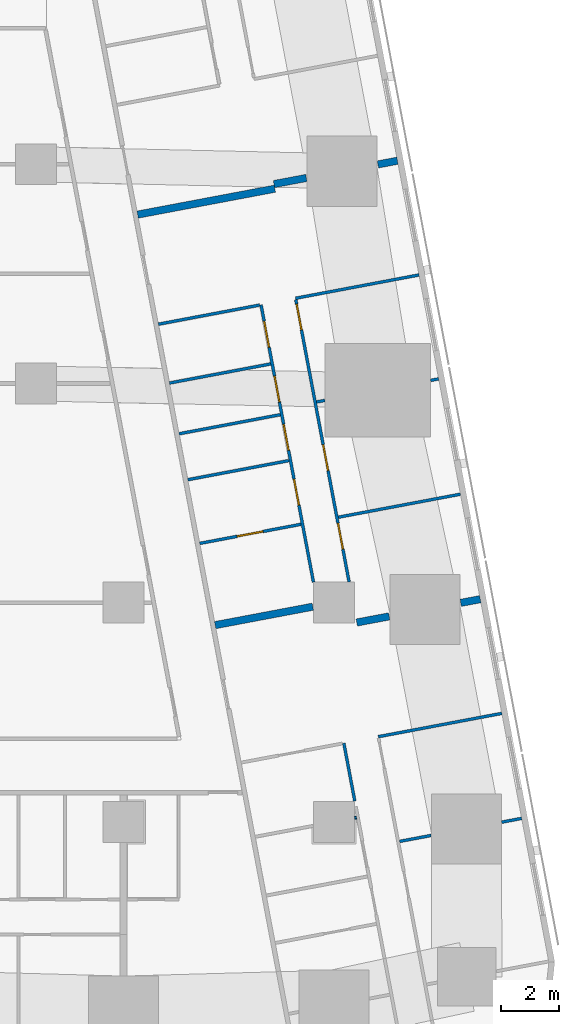
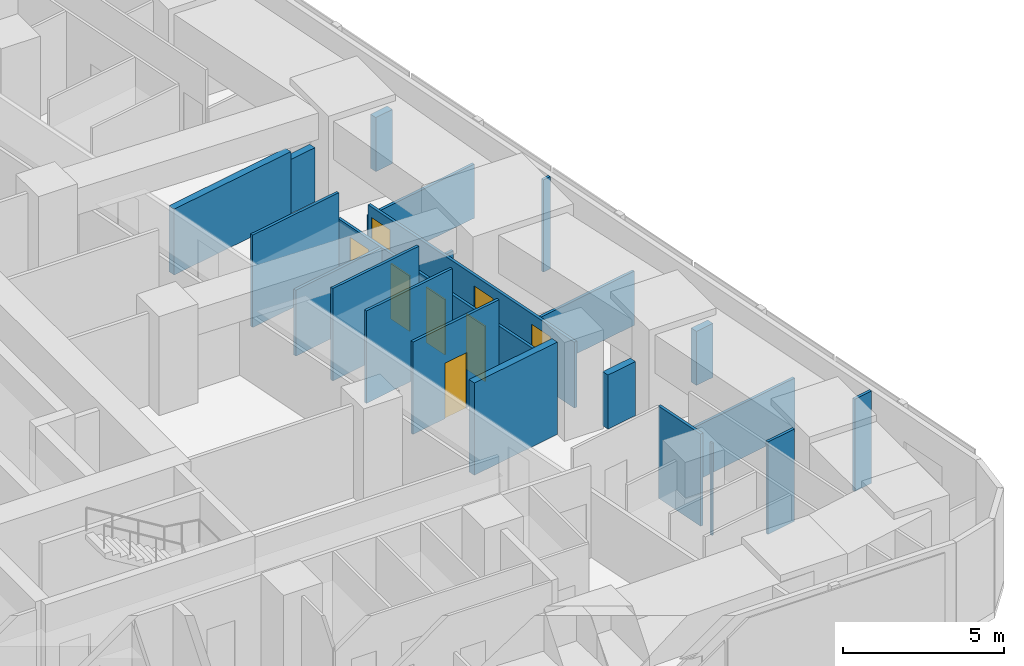
# One storey, part 11 of 17: 22 walls, 8 doors, 8 openings.
"""IFC4 building model written with IfcOpenShell, lengths in metres."""

from ifc_helpers import new_model, si_unit, direction, frame, frame_2d, origin, place, context, subcontext, project, spatial, rectangle, extrude, material, layer, layer_set, type_object, element, fill, save


model = new_model("IFC4")

# Units and contexts
model_context = context("Model", 3, precision=1e-05, world=origin(), true_north=direction((0.0, 1.0)))
body_context = subcontext(model_context, "Body", "Model", "MODEL_VIEW")
ifc_project = project(units=[si_unit("LENGTHUNIT", "METRE"), si_unit("AREAUNIT", "SQUARE_METRE"), si_unit("VOLUMEUNIT", "CUBIC_METRE"), si_unit("PLANEANGLEUNIT", "RADIAN"), si_unit("MASSUNIT", "GRAM", prefix="KILO")], contexts=[model_context])

# Site, building, storey
site_placement = place(None, origin())
site = spatial("IfcSite", under=ifc_project, at=site_placement, CompositionType="ELEMENT")
building_placement = place(site_placement, origin())
building = spatial("IfcBuilding", under=site, at=building_placement, Name="Sheger Commons Tower", CompositionType="ELEMENT")
storey_placement = place(building_placement, frame((0.0, 0.0, 204.949951171875)))
storey = spatial("IfcBuildingStorey", under=building, at=storey_placement, Name="L52", CompositionType="ELEMENT", Elevation=204.949951171875)

# Walls
ifc_material_1 = material(Name="Dense concrete block masonry, plastered both sides (separating wall between flats)", Category="masonry")
ifc_layer_1 = layer(ifc_material_1, 0.25)
ifc_layer_set_1 = layer_set([ifc_layer_1], Name="DEMISING WALL 250")
wall_type_1 = type_object("IfcWallType", Name="DEMISING WALL 250", PredefinedType="SOLIDWALL", material=ifc_layer_set_1)
wall_1_placement = place(storey_placement, frame((45.3720703125, 30.12109375, 0.0), z_axis=(0.0, 0.0, 1.0), x_axis=(-0.982347993061, -0.187062611252, 0.0)))
element("IfcWall", 1, at=wall_1_placement, inside=storey, type_object=wall_type_1, Name="Demising wall L52", PredefinedType="SOLIDWALL", context=body_context, shape_type="SweptSolid", body=[
    extrude(rectangle(XDim=0.679931640625, YDim=0.25, at=frame_2d((0.33984375, 0.0))), origin(), (0.0, 0.0, 1.0), 2.050048828125),
])
wall_2_placement = place(storey_placement, frame((42.256103515625, 29.531982421875, 0.0), z_axis=(0.0, 0.0, 1.0), x_axis=(-0.982549954272, -0.185998890749, 0.0)))
element("IfcWall", 2, at=wall_2_placement, inside=storey, type_object=wall_type_1, Name="Demising wall L52", PredefinedType="SOLIDWALL", context=body_context, shape_type="SweptSolid", body=[
    extrude(rectangle(XDim=1.12890625, YDim=0.25, at=frame_2d((0.564453125, 0.0))), origin(), (0.0, 0.0, 1.0), 2.050048828125),
])
wall_3_placement = place(storey_placement, frame((41.177001953125, 29.1640625, 0.0), z_axis=(0.0, 0.0, 1.0), x_axis=(-0.982642846239, -0.185507511263, 0.0)))
element("IfcWall", 3, at=wall_3_placement, inside=storey, type_object=wall_type_1, Name="Demising wall L52", PredefinedType="SOLIDWALL", context=body_context, shape_type="SweptSolid", body=[
    extrude(rectangle(XDim=4.776123046875, YDim=0.25, at=frame_2d((2.38818359375, 0.0))), origin(), (0.0, 0.0, 1.0), 2.5),
])
wall_4_placement = place(storey_placement, frame((48.2060546875, 15.1201171875, 0.0), z_axis=(0.0, 0.0, 1.0), x_axis=(-0.982610999048, -0.18567612811, 0.0)))
element("IfcWall", 4, at=wall_4_placement, inside=storey, type_object=wall_type_1, Name="Demising wall L52", PredefinedType="SOLIDWALL", context=body_context, shape_type="SweptSolid", body=[
    extrude(rectangle(XDim=0.6796875, YDim=0.25, at=frame_2d((0.33984375, 0.0))), origin(), (0.0, 0.0, 1.0), 2.050048828125),
])
wall_5_placement = place(storey_placement, frame((45.090087890625, 14.531005859375, 0.0), z_axis=(0.0, 0.0, 1.0), x_axis=(-0.982737354171, -0.185006196431, 0.0)))
element("IfcWall", 5, at=wall_5_placement, inside=storey, type_object=wall_type_1, Name="Demising wall L52", PredefinedType="SOLIDWALL", context=body_context, shape_type="SweptSolid", body=[
    extrude(rectangle(XDim=1.129638671875, YDim=0.25, at=frame_2d((0.56494140625, 0.0))), origin(), (0.0, 0.0, 1.0), 2.050048828125),
])
wall_6_placement = place(storey_placement, frame((42.47607421875, 14.863037109375, 0.0), z_axis=(0.0, 0.0, 1.0), x_axis=(-0.982603567712, -0.185715450942, 0.0)))
element("IfcWall", 6, at=wall_6_placement, inside=storey, type_object=wall_type_1, Name="Demising wall L52", PredefinedType="SOLIDWALL", context=body_context, shape_type="SweptSolid", body=[
    extrude(rectangle(XDim=3.398193359375, YDim=0.25, at=frame_2d((1.69921875, 0.0))), origin(), (0.0, 0.0, 1.0), 3.5),
])

# Wall, openings, doors
ifc_material_2 = material(Name="Gypsum board on steel studs", Category="steel")
ifc_layer_2 = layer(ifc_material_2, 0.10009765625)
ifc_layer_set_2 = layer_set([ifc_layer_2], Name="PARTITION 100")
wall_type_2 = type_object("IfcWallType", Name="PARTITION 100", PredefinedType="PARTITIONING", material=ifc_layer_set_2)
wall_7_placement = place(storey_placement, frame((41.89404296875, 25.365966796875, 0.0), z_axis=(0.0, 0.0, 1.0), x_axis=(0.185612905165, -0.982622943675, 0.0)))
wall_7 = element("IfcWall", 7, at=wall_7_placement, inside=storey, type_object=wall_type_2, Name="Partition L52", PredefinedType="PARTITIONING", context=body_context, shape_type="SweptSolid", body=[
    extrude(rectangle(XDim=9.82666015625, YDim=0.10009765625, at=frame_2d((4.913330078125, 0.0))), origin(), (0.0, 0.0, 1.0), 2.5),
])
opening_1_placement = place(wall_7_placement, frame((0.15087890625, 0.0, 0.0)))
opening_1 = element("IfcOpeningElement", 8, at=opening_1_placement, cuts=wall_7, Name="Opening D2", PredefinedType="OPENING", context=body_context, shape_type="SweptSolid", body=[
    extrude(rectangle(XDim=0.89990234375, YDim=2.10009765625, at=frame_2d((0.449951171875, 1.050048828125))), frame((0.0, 0.06005859375, 0.0), z_axis=(0.0, -1.0, 0.0), x_axis=(1.0, 0.0, 0.0)), (0.0, 0.0, 1.0), 0.1201171875),
])
opening_2_placement = place(wall_7_placement, frame((5.050048828125, 0.0, 0.0)))
opening_2 = element("IfcOpeningElement", 9, at=opening_2_placement, cuts=wall_7, Name="Opening D2", PredefinedType="OPENING", context=body_context, shape_type="SweptSolid", body=[
    extrude(rectangle(XDim=0.89990234375, YDim=2.10009765625, at=frame_2d((0.449951171875, 1.050048828125))), frame((0.0, 0.06005859375, 0.0), z_axis=(0.0, -1.0, 0.0), x_axis=(1.0, 0.0, 0.0)), (0.0, 0.0, 1.0), 0.1201171875),
])
opening_3_placement = place(wall_7_placement, frame((7.782958984375, 0.0, 0.0)))
opening_3 = element("IfcOpeningElement", 10, at=opening_3_placement, cuts=wall_7, Name="Opening D2", PredefinedType="OPENING", context=body_context, shape_type="SweptSolid", body=[
    extrude(rectangle(XDim=0.89990234375, YDim=2.10009765625, at=frame_2d((0.449951171875, 1.050048828125))), frame((0.0, 0.06005859375, 0.0), z_axis=(0.0, -1.0, 0.0), x_axis=(1.0, 0.0, 0.0)), (0.0, 0.0, 1.0), 0.1201171875),
])
ifc_material_3 = material(Name="Timber door set", Category="wood")
door_type = type_object("IfcDoorType", Name="INTERNAL DOOR 900x2100", OperationType="NOTDEFINED", PredefinedType="DOOR", material=ifc_material_3)
door_1_placement = place(opening_1_placement, origin())
door_1 = element("IfcDoor", 11, at=door_1_placement, inside=storey, type_object=door_type, Name="Main bedroom door", OperationType="SINGLE_SWING_LEFT", OverallHeight=2.10009765625, OverallWidth=0.89990234375, PredefinedType="DOOR", context=body_context, shape_type="SweptSolid", body=[
    extrude(rectangle(XDim=0.89990234375, YDim=2.10009765625, at=frame_2d((0.449951171875, 1.050048828125))), frame((0.0, 0.02490234375, 0.0), z_axis=(0.0, -1.0, 0.0), x_axis=(1.0, 0.0, 0.0)), (0.0, 0.0, 1.0), 0.050048828125),
])
fill(opening_1, door_1)
door_2_placement = place(opening_2_placement, origin())
door_2 = element("IfcDoor", 12, at=door_2_placement, inside=storey, type_object=door_type, Name="Bedroom 2 door", OperationType="SINGLE_SWING_LEFT", OverallHeight=2.10009765625, OverallWidth=0.89990234375, PredefinedType="DOOR", context=body_context, shape_type="SweptSolid", body=[
    extrude(rectangle(XDim=0.89990234375, YDim=2.10009765625, at=frame_2d((0.449951171875, 1.050048828125))), frame((0.0, 0.02490234375, 0.0), z_axis=(0.0, -1.0, 0.0), x_axis=(1.0, 0.0, 0.0)), (0.0, 0.0, 1.0), 0.050048828125),
])
fill(opening_2, door_2)
door_3_placement = place(opening_3_placement, origin())
door_3 = element("IfcDoor", 13, at=door_3_placement, inside=storey, type_object=door_type, Name="Bedroom 3 door", OperationType="SINGLE_SWING_LEFT", OverallHeight=2.10009765625, OverallWidth=0.89990234375, PredefinedType="DOOR", context=body_context, shape_type="SweptSolid", body=[
    extrude(rectangle(XDim=0.89990234375, YDim=2.10009765625, at=frame_2d((0.449951171875, 1.050048828125))), frame((0.0, 0.02490234375, 0.0), z_axis=(0.0, -1.0, 0.0), x_axis=(1.0, 0.0, 0.0)), (0.0, 0.0, 1.0), 0.050048828125),
])
fill(opening_3, door_3)

wall_8_placement = place(storey_placement, frame((40.7060546875, 25.19189453125, 0.0), z_axis=(0.0, 0.0, 1.0), x_axis=(0.185629824463, -0.982619747547, 0.0)))
wall_8 = element("IfcWall", 14, at=wall_8_placement, inside=storey, type_object=wall_type_2, Name="Partition L52", PredefinedType="PARTITIONING", context=body_context, shape_type="SweptSolid", body=[
    extrude(rectangle(XDim=9.658935546875, YDim=0.10009765625, at=frame_2d((4.82958984375, 0.0))), origin(), (0.0, 0.0, 1.0), 2.5),
])
opening_4_placement = place(wall_8_placement, frame((0.574951171875, 0.0, 0.0)))
opening_4 = element("IfcOpeningElement", 15, at=opening_4_placement, cuts=wall_8, Name="Opening D2", PredefinedType="OPENING", context=body_context, shape_type="SweptSolid", body=[
    extrude(rectangle(XDim=0.89990234375, YDim=2.10009765625, at=frame_2d((0.449951171875, 1.050048828125))), frame((0.0, 0.06005859375, 0.0), z_axis=(0.0, -1.0, 0.0), x_axis=(1.0, 0.0, 0.0)), (0.0, 0.0, 1.0), 0.1201171875),
])
opening_5_placement = place(wall_8_placement, frame((4.166015625, 0.0, 0.0)))
opening_5 = element("IfcOpeningElement", 16, at=opening_5_placement, cuts=wall_8, Name="Opening D2", PredefinedType="OPENING", context=body_context, shape_type="SweptSolid", body=[
    extrude(rectangle(XDim=0.89990234375, YDim=2.10009765625, at=frame_2d((0.449951171875, 1.050048828125))), frame((0.0, 0.06005859375, 0.0), z_axis=(0.0, -1.0, 0.0), x_axis=(1.0, 0.0, 0.0)), (0.0, 0.0, 1.0), 0.1201171875),
])
opening_6_placement = place(wall_8_placement, frame((2.48291015625, 0.0, 0.0)))
opening_6 = element("IfcOpeningElement", 17, at=opening_6_placement, cuts=wall_8, Name="Opening D2", PredefinedType="OPENING", context=body_context, shape_type="SweptSolid", body=[
    extrude(rectangle(XDim=0.89990234375, YDim=2.10009765625, at=frame_2d((0.449951171875, 1.050048828125))), frame((0.0, 0.06005859375, 0.0), z_axis=(0.0, -1.0, 0.0), x_axis=(1.0, 0.0, 0.0)), (0.0, 0.0, 1.0), 0.1201171875),
])
opening_7_placement = place(wall_8_placement, frame((6.073974609375, 0.0, 0.0)))
opening_7 = element("IfcOpeningElement", 18, at=opening_7_placement, cuts=wall_8, Name="Opening D2", PredefinedType="OPENING", context=body_context, shape_type="SweptSolid", body=[
    extrude(rectangle(XDim=0.89990234375, YDim=2.10009765625, at=frame_2d((0.449951171875, 1.050048828125))), frame((0.0, 0.06005859375, 0.0), z_axis=(0.0, -1.0, 0.0), x_axis=(1.0, 0.0, 0.0)), (0.0, 0.0, 1.0), 0.1201171875),
])
door_4_placement = place(opening_4_placement, origin())
door_4 = element("IfcDoor", 19, at=door_4_placement, inside=storey, type_object=door_type, Name="Bathroom door", OperationType="SINGLE_SWING_RIGHT", OverallHeight=2.10009765625, OverallWidth=0.89990234375, PredefinedType="DOOR", context=body_context, shape_type="SweptSolid", body=[
    extrude(rectangle(XDim=0.89990234375, YDim=2.10009765625, at=frame_2d((0.449951171875, 1.050048828125))), frame((0.0, 0.02490234375, 0.0), z_axis=(0.0, -1.0, 0.0), x_axis=(1.0, 0.0, 0.0)), (0.0, 0.0, 1.0), 0.050048828125),
])
fill(opening_4, door_4)
door_5_placement = place(opening_5_placement, origin())
door_5 = element("IfcDoor", 20, at=door_5_placement, inside=storey, type_object=door_type, Name="Shower room door", OperationType="SINGLE_SWING_LEFT", OverallHeight=2.10009765625, OverallWidth=0.89990234375, PredefinedType="DOOR", context=body_context, shape_type="SweptSolid", body=[
    extrude(rectangle(XDim=0.89990234375, YDim=2.10009765625, at=frame_2d((0.449951171875, 1.050048828125))), frame((0.0, 0.02490234375, 0.0), z_axis=(0.0, -1.0, 0.0), x_axis=(1.0, 0.0, 0.0)), (0.0, 0.0, 1.0), 0.050048828125),
])
fill(opening_5, door_5)
door_6_placement = place(opening_6_placement, origin())
door_6 = element("IfcDoor", 21, at=door_6_placement, inside=storey, type_object=door_type, Name="Store door", OperationType="SINGLE_SWING_LEFT", OverallHeight=2.10009765625, OverallWidth=0.89990234375, PredefinedType="DOOR", context=body_context, shape_type="SweptSolid", body=[
    extrude(rectangle(XDim=0.89990234375, YDim=2.10009765625, at=frame_2d((0.449951171875, 1.050048828125))), frame((0.0, 0.02490234375, 0.0), z_axis=(0.0, -1.0, 0.0), x_axis=(1.0, 0.0, 0.0)), (0.0, 0.0, 1.0), 0.050048828125),
])
fill(opening_6, door_6)
door_7_placement = place(opening_7_placement, origin())
door_7 = element("IfcDoor", 22, at=door_7_placement, inside=storey, type_object=door_type, Name="Store door", OperationType="SINGLE_SWING_RIGHT", OverallHeight=2.10009765625, OverallWidth=0.89990234375, PredefinedType="DOOR", context=body_context, shape_type="SweptSolid", body=[
    extrude(rectangle(XDim=0.89990234375, YDim=2.10009765625, at=frame_2d((0.449951171875, 1.050048828125))), frame((0.0, 0.02490234375, 0.0), z_axis=(0.0, -1.0, 0.0), x_axis=(1.0, 0.0, 0.0)), (0.0, 0.0, 1.0), 0.050048828125),
])
fill(opening_7, door_7)

# Walls
wall_9_placement = place(storey_placement, frame((46.110107421875, 26.212890625, 0.0), z_axis=(0.0, 0.0, 1.0), x_axis=(-0.982633535512, -0.185556823879, 0.0)))
element("IfcWall", 23, at=wall_9_placement, inside=storey, type_object=wall_type_2, Name="Partition L52", PredefinedType="PARTITIONING", context=body_context, shape_type="SweptSolid", body=[
    extrude(rectangle(XDim=4.2998046875, YDim=0.10009765625, at=frame_2d((2.14990234375, 0.0))), origin(), (0.0, 0.0, 1.0), 2.050048828125),
])
wall_10_placement = place(storey_placement, frame((46.781982421875, 22.656982421875, 0.0), z_axis=(0.0, 0.0, 1.0), x_axis=(-0.982574553168, -0.185868898601, 0.0)))
element("IfcWall", 24, at=wall_10_placement, inside=storey, type_object=wall_type_2, Name="Partition L52", PredefinedType="PARTITIONING", context=body_context, shape_type="SweptSolid", body=[
    extrude(rectangle(XDim=0.27978515625, YDim=0.10009765625, at=frame_2d((0.139892578125, 0.0))), origin(), (0.0, 0.0, 1.0), 3.5),
])
wall_11_placement = place(storey_placement, frame((42.886962890625, 21.9208984375, 0.0), z_axis=(0.0, 0.0, 1.0), x_axis=(-0.982688058078, -0.185267861514, 0.0)))
element("IfcWall", 25, at=wall_11_placement, inside=storey, type_object=wall_type_2, Name="Partition L52", PredefinedType="PARTITIONING", context=body_context, shape_type="SweptSolid", body=[
    extrude(rectangle(XDim=0.285888671875, YDim=0.10009765625, at=frame_2d((0.14306640625, 0.0))), origin(), (0.0, 0.0, 1.0), 2.5),
])
wall_12_placement = place(storey_placement, frame((47.527099609375, 18.7119140625, 0.0), z_axis=(0.0, 0.0, 1.0), x_axis=(-0.982665405803, -0.185387972203, 0.0)))
element("IfcWall", 26, at=wall_12_placement, inside=storey, type_object=wall_type_2, Name="Partition L52", PredefinedType="PARTITIONING", context=body_context, shape_type="SweptSolid", body=[
    extrude(rectangle(XDim=4.249755859375, YDim=0.10009765625, at=frame_2d((2.125, 0.0))), origin(), (0.0, 0.0, 1.0), 2.050048828125),
])
wall_13_placement = place(storey_placement, frame((40.656982421875, 25.18310546875, 0.0), z_axis=(0.0, 0.0, 1.0), x_axis=(-0.982585626838, -0.185810349366, 0.0)))
element("IfcWall", 27, at=wall_13_placement, inside=storey, type_object=wall_type_2, Name="Partition L52", PredefinedType="PARTITIONING", context=body_context, shape_type="SweptSolid", body=[
    extrude(rectangle(XDim=3.525146484375, YDim=0.10009765625, at=frame_2d((1.7626953125, 0.0))), origin(), (0.0, 0.0, 1.0), 3.5),
])
wall_14_placement = place(storey_placement, frame((41.364990234375, 21.43310546875, 0.0), z_axis=(0.0, 0.0, 1.0), x_axis=(-0.982638553676, -0.185530247748, 0.0)))
element("IfcWall", 28, at=wall_14_placement, inside=storey, type_object=wall_type_2, Name="Partition L52", PredefinedType="PARTITIONING", context=body_context, shape_type="SweptSolid", body=[
    extrude(rectangle(XDim=3.525390625, YDim=0.10009765625, at=frame_2d((1.7626953125, 0.0))), origin(), (0.0, 0.0, 1.0), 3.5),
])

# Wall, opening, door
wall_15_placement = place(storey_placement, frame((42.072998046875, 17.681884765625, 0.0), z_axis=(0.0, 0.0, 1.0), x_axis=(-0.98265117712, -0.185463376723, 0.0)))
wall_15 = element("IfcWall", 29, at=wall_15_placement, inside=storey, type_object=wall_type_2, Name="Partition L52", PredefinedType="PARTITIONING", context=body_context, shape_type="SweptSolid", body=[
    extrude(rectangle(XDim=3.525390625, YDim=0.10009765625, at=frame_2d((1.7626953125, 0.0))), origin(), (0.0, 0.0, 1.0), 3.5),
])
opening_8_placement = place(wall_15_placement, frame((1.324951171875, 0.0, 0.0)))
opening_8 = element("IfcOpeningElement", 30, at=opening_8_placement, cuts=wall_15, Name="Opening D2", PredefinedType="OPENING", context=body_context, shape_type="SweptSolid", body=[
    extrude(rectangle(XDim=0.89990234375, YDim=2.10009765625, at=frame_2d((0.449951171875, 1.050048828125))), frame((0.0, 0.06005859375, 0.0), z_axis=(0.0, -1.0, 0.0), x_axis=(1.0, 0.0, 0.0)), (0.0, 0.0, 1.0), 0.1201171875),
])
door_8_placement = place(opening_8_placement, origin())
door_8 = element("IfcDoor", 31, at=door_8_placement, inside=storey, type_object=door_type, Name="Store door", OperationType="SINGLE_SWING_LEFT", OverallHeight=2.10009765625, OverallWidth=0.89990234375, PredefinedType="DOOR", context=body_context, shape_type="SweptSolid", body=[
    extrude(rectangle(XDim=0.89990234375, YDim=2.10009765625, at=frame_2d((0.449951171875, 1.050048828125))), frame((0.0, 0.02490234375, 0.0), z_axis=(0.0, -1.0, 0.0), x_axis=(1.0, 0.0, 0.0)), (0.0, 0.0, 1.0), 0.050048828125),
])
fill(opening_8, door_8)

# Walls
wall_16_placement = place(storey_placement, frame((41.037109375, 23.16796875, 0.0), z_axis=(0.0, 0.0, 1.0), x_axis=(-0.982638553676, -0.185530247748, 0.0)))
element("IfcWall", 32, at=wall_16_placement, inside=storey, type_object=wall_type_2, Name="Partition L52", PredefinedType="PARTITIONING", context=body_context, shape_type="SweptSolid", body=[
    extrude(rectangle(XDim=3.525390625, YDim=0.10009765625, at=frame_2d((1.7626953125, 0.0))), origin(), (0.0, 0.0, 1.0), 2.5),
])
wall_17_placement = place(storey_placement, frame((41.662109375, 19.861083984375, 0.0), z_axis=(0.0, 0.0, 1.0), x_axis=(-0.982588017646, -0.185797706064, 0.0)))
element("IfcWall", 33, at=wall_17_placement, inside=storey, type_object=wall_type_2, Name="Partition L52", PredefinedType="PARTITIONING", context=body_context, shape_type="SweptSolid", body=[
    extrude(rectangle(XDim=3.525390625, YDim=0.10009765625, at=frame_2d((1.7626953125, 0.0))), origin(), (0.0, 0.0, 1.0), 3.5),
])
wall_18_placement = place(storey_placement, frame((43.5390625, 10.19189453125, 0.0), z_axis=(0.0, 0.0, 1.0), x_axis=(0.185443145218, -0.982654995353, 0.0)))
element("IfcWall", 34, at=wall_18_placement, inside=storey, type_object=wall_type_2, Name="Partition L52", PredefinedType="PARTITIONING", context=body_context, shape_type="SweptSolid", body=[
    extrude(rectangle(XDim=2.016845703125, YDim=0.10009765625, at=frame_2d((1.00830078125, 0.0))), origin(), (0.0, 0.0, 1.0), 3.5),
])
wall_19_placement = place(storey_placement, frame((48.943115234375, 11.212890625, 0.0), z_axis=(0.0, 0.0, 1.0), x_axis=(-0.982633535512, -0.185556823879, 0.0)))
element("IfcWall", 35, at=wall_19_placement, inside=storey, type_object=wall_type_2, Name="Partition L52", PredefinedType="PARTITIONING", context=body_context, shape_type="SweptSolid", body=[
    extrude(rectangle(XDim=4.2998046875, YDim=0.10009765625, at=frame_2d((2.14990234375, 0.0))), origin(), (0.0, 0.0, 1.0), 2.050048828125),
])
wall_20_placement = place(storey_placement, frame((49.6220703125, 7.6201171875, 0.0), z_axis=(0.0, 0.0, 1.0), x_axis=(-0.98254419619, -0.186029305578, 0.0)))
element("IfcWall", 36, at=wall_20_placement, inside=storey, type_object=wall_type_2, Name="Partition L52", PredefinedType="PARTITIONING", context=body_context, shape_type="SweptSolid", body=[
    extrude(rectangle(XDim=0.6943359375, YDim=0.10009765625, at=frame_2d((0.34716796875, 0.0))), origin(), (0.0, 0.0, 1.0), 3.5),
])
wall_21_placement = place(storey_placement, frame((46.52001953125, 7.034912109375, 0.0), z_axis=(0.0, 0.0, 1.0), x_axis=(-0.982620932907, -0.185623549726, 0.0)))
element("IfcWall", 37, at=wall_21_placement, inside=storey, type_object=wall_type_2, Name="Partition L52", PredefinedType="PARTITIONING", context=body_context, shape_type="SweptSolid", body=[
    extrude(rectangle(XDim=1.093017578125, YDim=0.10009765625, at=frame_2d((0.54638671875, 0.0))), origin(), (0.0, 0.0, 1.0), 3.5),
])
wall_22_placement = place(storey_placement, frame((43.968994140625, 7.64599609375, 0.0), z_axis=(0.0, 0.0, 1.0), x_axis=(-0.983147034646, -0.182816597351, 0.0)))
element("IfcWall", 38, at=wall_22_placement, inside=storey, type_object=wall_type_2, Name="Partition L52", PredefinedType="PARTITIONING", context=body_context, shape_type="SweptSolid", body=[
    extrude(rectangle(XDim=0.06005859375, YDim=0.10009765625, at=frame_2d((0.030029296875, 0.0))), origin(), (0.0, 0.0, 1.0), 3.5),
])

save(model, "model.ifc")
